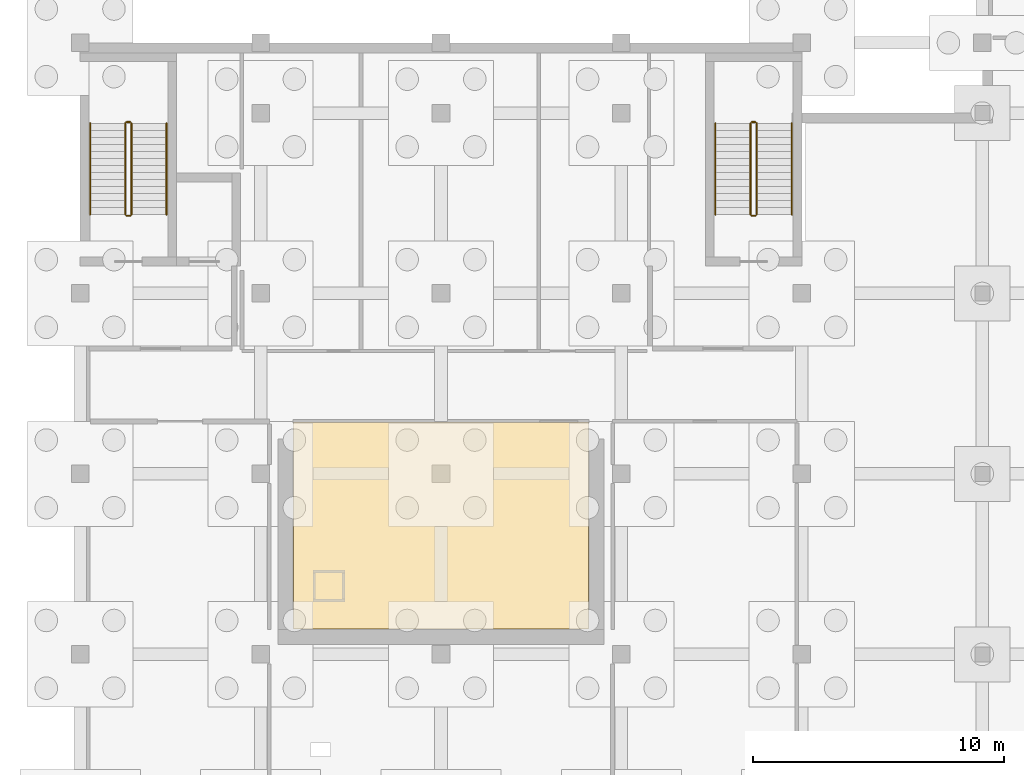
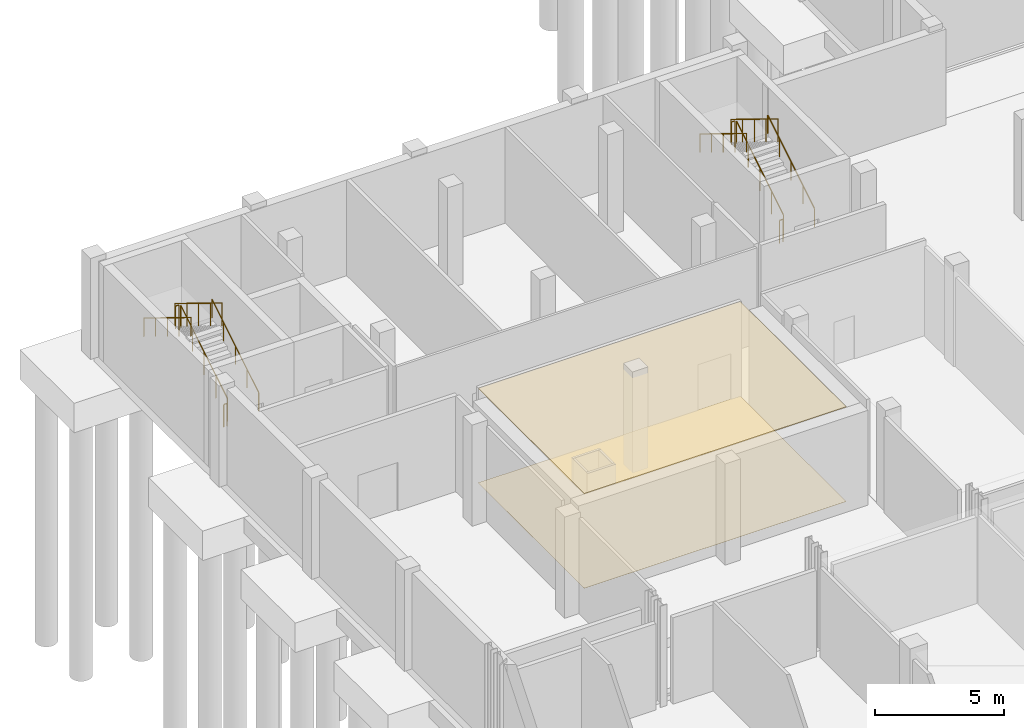
# One storey, part 33 of 35: 12 railings, 2 coverings.
"""IFC4 building model written with IfcOpenShell, lengths in metres."""

from ifc_helpers import new_model, si_unit, direction, frame, origin, origin_2d, place, context, subcontext, project, spatial, polyline, circle, outline, extrude, material, layer, layer_set, type_object, element, save


model = new_model("IFC4")

# Units and contexts
model_context = context("Model", 3, precision=1e-05, world=origin(), true_north=direction((0.0, 1.0)))
body_context = subcontext(model_context, "Body", "Model", "MODEL_VIEW")
ifc_project = project(units=[si_unit("LENGTHUNIT", "METRE"), si_unit("AREAUNIT", "SQUARE_METRE"), si_unit("VOLUMEUNIT", "CUBIC_METRE"), si_unit("PLANEANGLEUNIT", "RADIAN"), si_unit("MASSUNIT", "GRAM", prefix="KILO")], contexts=[model_context])

# Site, building, storey
site_placement = place(None, origin())
site = spatial("IfcSite", under=ifc_project, at=site_placement, CompositionType="ELEMENT")
building_placement = place(site_placement, origin())
building = spatial("IfcBuilding", under=site, at=building_placement, Name="Zarrinpeak Specialist Clinic", CompositionType="ELEMENT")
storey_placement = place(building_placement, frame((0.0, 0.0, -4.800048828125)))
storey = spatial("IfcBuildingStorey", under=building, at=storey_placement, Name="B01", CompositionType="ELEMENT", Elevation=-4.800048828125)

# Coverings
ifc_material_1 = material(Name="Hygienic Acoustic Mineral Fibre Tile")
ifc_layer_1 = layer(ifc_material_1, 0.02490234375)
ifc_layer_set_1 = layer_set([ifc_layer_1], Name="Hygienic Acoustic Mineral Fibre Tile")
covering_type_1 = type_object("IfcCoveringType", Name="CV-CEIL-AC", PredefinedType="CEILING", material=ifc_layer_set_1)
covering_1_placement = place(storey_placement, frame((0.0, 0.0, 4.485107421875)))
element("IfcCovering", 1, at=covering_1_placement, inside=storey, type_object=covering_type_1, Name="B01 Radiotherapy Linear Accelerator Bunker Hygienic Acoustic Ceiling", PredefinedType="CEILING", context=body_context, shape_type="SweptSolid", body=[
    extrude(outline(polyline([(8.52001953125, 58.6201171875), (20.280029296875, 58.6201171875), (20.280029296875, 66.8798828125), (8.52001953125, 66.8798828125), (8.52001953125, 58.6201171875)])), origin(), (0.0, 0.0, 1.0), 0.02490234375),
])
ifc_material_2 = material(Name="Homogeneous Antimicrobial Clinical Vinyl")
ifc_layer_2 = layer(ifc_material_2, 0.008056640625)
ifc_layer_set_2 = layer_set([ifc_layer_2], Name="Homogeneous Antimicrobial Clinical Vinyl")
covering_type_2 = type_object("IfcCoveringType", Name="CV-FLR-VN", PredefinedType="FLOORING", material=ifc_layer_set_2)
covering_2_placement = place(storey_placement, frame((0.0, 0.0, 0.0009765625)))
element("IfcCovering", 2, at=covering_2_placement, inside=storey, type_object=covering_type_2, Name="B01 Radiotherapy Linear Accelerator Bunker Antimicrobial Vinyl Flooring", PredefinedType="FLOORING", context=body_context, shape_type="SweptSolid", body=[
    extrude(outline(polyline([(8.52001953125, 58.6201171875), (20.280029296875, 58.6201171875), (20.280029296875, 66.8798828125), (8.52001953125, 66.8798828125), (8.52001953125, 58.6201171875)])), origin(), (0.0, 0.0, 1.0), 0.008056640625),
])

# Railings
ifc_material_3 = material(Name="Laminated Safety Glass and Stainless Steel 316", Category="steel")
ifc_layer_3 = layer(ifc_material_3, 0.06005859375)
ifc_layer_set_3 = layer_set([ifc_layer_3], Name="Laminated Safety Glass and Stainless Steel 316")
railing_type_1 = type_object("IfcRailingType", Name="RL-GRD115", PredefinedType="GUARDRAIL", material=ifc_layer_set_3)
railing_1_placement = place(storey_placement, frame((2.050048828125, 75.14990234375, 0.17138671875)))
element("IfcRailing", 3, at=railing_1_placement, inside=storey, type_object=railing_type_1, Name="B01 ST-09 stair guard 1", PredefinedType="GUARDRAIL", context=body_context, shape_type="SweptSolid", body=[
    extrude(circle(Radius=0.02392578125, at=origin_2d()), frame((0.0, 0.0, 1.076171875), z_axis=(0.0, 0.852840387347, 0.522171689878), x_axis=(-1.0, 0.0, 0.0)), (0.0, 0.0, 1.0), 4.268310546875),
    extrude(circle(Radius=0.02099609375, at=origin_2d()), origin(), (0.0, 0.0, 1.0), 1.052001953125),
    extrude(circle(Radius=0.02099609375, at=origin_2d()), frame((0.0, 0.91015625, 0.55712890625)), (0.0, 0.0, 1.0), 1.052001953125),
    extrude(circle(Radius=0.02099609375, at=origin_2d()), frame((0.0, 1.820068359375, 1.1142578125)), (0.0, 0.0, 1.0), 1.052001953125),
    extrude(circle(Radius=0.02099609375, at=origin_2d()), frame((0.0, 2.72998046875, 1.671630859375)), (0.0, 0.0, 1.0), 1.052001953125),
    extrude(circle(Radius=0.02099609375, at=origin_2d()), frame((0.0, 3.64013671875, 2.228759765625)), (0.0, 0.0, 1.0), 1.052001953125),
])
railing_2_placement = place(storey_placement, frame((2.0, 78.840087890625, 2.400146484375)))
element("IfcRailing", 4, at=railing_2_placement, inside=storey, type_object=railing_type_1, Name="B01 ST-09 stair guard 2", PredefinedType="GUARDRAIL", context=body_context, shape_type="SweptSolid", body=[
    extrude(circle(Radius=0.02392578125, at=origin_2d()), frame((0.0, 0.0, 1.076171875), z_axis=(-1.0, 0.0, 0.0), x_axis=(0.0, -1.0, 0.0)), (0.0, 0.0, 1.0), 0.14990234375),
    extrude(circle(Radius=0.02099609375, at=origin_2d()), origin(), (0.0, 0.0, 1.0), 1.052001953125),
    extrude(circle(Radius=0.02099609375, at=origin_2d()), frame((-0.14990234375, 0.0, 0.0)), (0.0, 0.0, 1.0), 1.052001953125),
])
railing_3_placement = place(storey_placement, frame((1.800048828125, 78.7900390625, 2.571533203125)))
element("IfcRailing", 5, at=railing_3_placement, inside=storey, type_object=railing_type_1, Name="B01 ST-09 stair guard 3", PredefinedType="GUARDRAIL", context=body_context, shape_type="SweptSolid", body=[
    extrude(circle(Radius=0.02392578125, at=origin_2d()), frame((0.0, 0.0, 1.076171875), z_axis=(0.0, -0.852865859571, 0.52213008492), x_axis=(1.0, 0.0, 0.0)), (0.0, 0.0, 1.0), 4.26806640625),
    extrude(circle(Radius=0.02099609375, at=origin_2d()), origin(), (0.0, 0.0, 1.0), 1.052001953125),
    extrude(circle(Radius=0.02099609375, at=origin_2d()), frame((0.0, -0.91015625, 0.55712890625)), (0.0, 0.0, 1.0), 1.052001953125),
    extrude(circle(Radius=0.02099609375, at=origin_2d()), frame((0.0, -1.820068359375, 1.1142578125)), (0.0, 0.0, 1.0), 1.052001953125),
    extrude(circle(Radius=0.02099609375, at=origin_2d()), frame((0.0, -2.72998046875, 1.67138671875)), (0.0, 0.0, 1.0), 1.052001953125),
    extrude(circle(Radius=0.02099609375, at=origin_2d()), frame((0.0, -3.64013671875, 2.228515625)), (0.0, 0.0, 1.0), 1.052001953125),
])
railing_4_placement = place(storey_placement, frame((2.0, 75.10009765625, 0.0)))
element("IfcRailing", 6, at=railing_4_placement, inside=storey, type_object=railing_type_1, Name="B01 ST-09 stair guard 4", PredefinedType="GUARDRAIL", context=body_context, shape_type="SweptSolid", body=[
    extrude(circle(Radius=0.02392578125, at=origin_2d()), frame((0.0, 0.0, 1.076171875), z_axis=(-1.0, 0.0, 0.0), x_axis=(0.0, -1.0, 0.0)), (0.0, 0.0, 1.0), 0.14990234375),
    extrude(circle(Radius=0.02099609375, at=origin_2d()), origin(), (0.0, 0.0, 1.0), 1.052001953125),
    extrude(circle(Radius=0.02099609375, at=origin_2d()), frame((-0.14990234375, 0.0, 0.0)), (0.0, 0.0, 1.0), 1.052001953125),
])
railing_5_placement = place(storey_placement, frame((27.0, 75.14990234375, 0.17138671875)))
element("IfcRailing", 7, at=railing_5_placement, inside=storey, type_object=railing_type_1, Name="B01 ST-10 stair guard 1", PredefinedType="GUARDRAIL", context=body_context, shape_type="SweptSolid", body=[
    extrude(circle(Radius=0.02392578125, at=origin_2d()), frame((0.0, 0.0, 1.076171875), z_axis=(0.0, 0.852840387347, 0.522171689878), x_axis=(-1.0, 0.0, 0.0)), (0.0, 0.0, 1.0), 4.268310546875),
    extrude(circle(Radius=0.02099609375, at=origin_2d()), origin(), (0.0, 0.0, 1.0), 1.052001953125),
    extrude(circle(Radius=0.02099609375, at=origin_2d()), frame((0.0, 0.91015625, 0.55712890625)), (0.0, 0.0, 1.0), 1.052001953125),
    extrude(circle(Radius=0.02099609375, at=origin_2d()), frame((0.0, 1.820068359375, 1.1142578125)), (0.0, 0.0, 1.0), 1.052001953125),
    extrude(circle(Radius=0.02099609375, at=origin_2d()), frame((0.0, 2.72998046875, 1.671630859375)), (0.0, 0.0, 1.0), 1.052001953125),
    extrude(circle(Radius=0.02099609375, at=origin_2d()), frame((0.0, 3.64013671875, 2.228759765625)), (0.0, 0.0, 1.0), 1.052001953125),
])
railing_6_placement = place(storey_placement, frame((26.949951171875, 78.840087890625, 2.400146484375)))
element("IfcRailing", 8, at=railing_6_placement, inside=storey, type_object=railing_type_1, Name="B01 ST-10 stair guard 2", PredefinedType="GUARDRAIL", context=body_context, shape_type="SweptSolid", body=[
    extrude(circle(Radius=0.02392578125, at=origin_2d()), frame((0.0, 0.0, 1.076171875), z_axis=(-1.0, 0.0, 0.0), x_axis=(0.0, -1.0, 0.0)), (0.0, 0.0, 1.0), 0.14990234375),
    extrude(circle(Radius=0.02099609375, at=origin_2d()), origin(), (0.0, 0.0, 1.0), 1.052001953125),
    extrude(circle(Radius=0.02099609375, at=origin_2d()), frame((-0.14990234375, 0.0, 0.0)), (0.0, 0.0, 1.0), 1.052001953125),
])
railing_7_placement = place(storey_placement, frame((26.75, 78.7900390625, 2.571533203125)))
element("IfcRailing", 9, at=railing_7_placement, inside=storey, type_object=railing_type_1, Name="B01 ST-10 stair guard 3", PredefinedType="GUARDRAIL", context=body_context, shape_type="SweptSolid", body=[
    extrude(circle(Radius=0.02392578125, at=origin_2d()), frame((0.0, 0.0, 1.076171875), z_axis=(0.0, -0.852865859571, 0.52213008492), x_axis=(1.0, 0.0, 0.0)), (0.0, 0.0, 1.0), 4.26806640625),
    extrude(circle(Radius=0.02099609375, at=origin_2d()), origin(), (0.0, 0.0, 1.0), 1.052001953125),
    extrude(circle(Radius=0.02099609375, at=origin_2d()), frame((0.0, -0.91015625, 0.55712890625)), (0.0, 0.0, 1.0), 1.052001953125),
    extrude(circle(Radius=0.02099609375, at=origin_2d()), frame((0.0, -1.820068359375, 1.1142578125)), (0.0, 0.0, 1.0), 1.052001953125),
    extrude(circle(Radius=0.02099609375, at=origin_2d()), frame((0.0, -2.72998046875, 1.67138671875)), (0.0, 0.0, 1.0), 1.052001953125),
    extrude(circle(Radius=0.02099609375, at=origin_2d()), frame((0.0, -3.64013671875, 2.228515625)), (0.0, 0.0, 1.0), 1.052001953125),
])
railing_8_placement = place(storey_placement, frame((26.949951171875, 75.10009765625, 0.0)))
element("IfcRailing", 10, at=railing_8_placement, inside=storey, type_object=railing_type_1, Name="B01 ST-10 stair guard 4", PredefinedType="GUARDRAIL", context=body_context, shape_type="SweptSolid", body=[
    extrude(circle(Radius=0.02392578125, at=origin_2d()), frame((0.0, 0.0, 1.076171875), z_axis=(-1.0, 0.0, 0.0), x_axis=(0.0, -1.0, 0.0)), (0.0, 0.0, 1.0), 0.14990234375),
    extrude(circle(Radius=0.02099609375, at=origin_2d()), origin(), (0.0, 0.0, 1.0), 1.052001953125),
    extrude(circle(Radius=0.02099609375, at=origin_2d()), frame((-0.14990234375, 0.0, 0.0)), (0.0, 0.0, 1.0), 1.052001953125),
])
ifc_material_4 = material(Name="Brushed Stainless Steel 316 Handrail", Category="steel")
ifc_layer_4 = layer(ifc_material_4, 0.050048828125)
ifc_layer_set_4 = layer_set([ifc_layer_4], Name="Brushed Stainless Steel 316 Handrail")
railing_type_2 = type_object("IfcRailingType", Name="RL-HND92", PredefinedType="HANDRAIL", material=ifc_layer_set_4)
railing_9_placement = place(storey_placement, frame((3.449951171875, 75.14990234375, 0.17138671875)))
element("IfcRailing", 11, at=railing_9_placement, inside=storey, type_object=railing_type_2, Name="B01 ST-09 stair handrail 1", PredefinedType="HANDRAIL", context=body_context, shape_type="SweptSolid", body=[
    extrude(circle(Radius=0.02392578125, at=origin_2d()), frame((0.0, 0.0, 0.8759765625), z_axis=(0.0, 0.852840387347, 0.522171689878), x_axis=(-1.0, 0.0, 0.0)), (0.0, 0.0, 1.0), 4.268310546875),
    extrude(circle(Radius=0.02099609375, at=origin_2d()), origin(), (0.0, 0.0, 1.0), 0.851806640625),
    extrude(circle(Radius=0.02099609375, at=origin_2d()), frame((0.0, 0.91015625, 0.55712890625)), (0.0, 0.0, 1.0), 0.851806640625),
    extrude(circle(Radius=0.02099609375, at=origin_2d()), frame((0.0, 1.820068359375, 1.1142578125)), (0.0, 0.0, 1.0), 0.851806640625),
    extrude(circle(Radius=0.02099609375, at=origin_2d()), frame((0.0, 2.72998046875, 1.671630859375)), (0.0, 0.0, 1.0), 0.851806640625),
    extrude(circle(Radius=0.02099609375, at=origin_2d()), frame((0.0, 3.64013671875, 2.228759765625)), (0.0, 0.0, 1.0), 0.851806640625),
])
railing_10_placement = place(storey_placement, frame((0.39990234375, 78.7900390625, 2.571533203125)))
element("IfcRailing", 12, at=railing_10_placement, inside=storey, type_object=railing_type_2, Name="B01 ST-09 stair handrail 2", PredefinedType="HANDRAIL", context=body_context, shape_type="SweptSolid", body=[
    extrude(circle(Radius=0.02392578125, at=origin_2d()), frame((0.0, 0.0, 0.8759765625), z_axis=(0.0, -0.852865859571, 0.52213008492), x_axis=(1.0, 0.0, 0.0)), (0.0, 0.0, 1.0), 4.26806640625),
    extrude(circle(Radius=0.02099609375, at=origin_2d()), origin(), (0.0, 0.0, 1.0), 0.851806640625),
    extrude(circle(Radius=0.02099609375, at=origin_2d()), frame((0.0, -0.91015625, 0.55712890625)), (0.0, 0.0, 1.0), 0.851806640625),
    extrude(circle(Radius=0.02099609375, at=origin_2d()), frame((0.0, -1.820068359375, 1.1142578125)), (0.0, 0.0, 1.0), 0.851806640625),
    extrude(circle(Radius=0.02099609375, at=origin_2d()), frame((0.0, -2.72998046875, 1.67138671875)), (0.0, 0.0, 1.0), 0.851806640625),
    extrude(circle(Radius=0.02099609375, at=origin_2d()), frame((0.0, -3.64013671875, 2.228515625)), (0.0, 0.0, 1.0), 0.851806640625),
])
railing_11_placement = place(storey_placement, frame((28.39990234375, 75.14990234375, 0.17138671875)))
element("IfcRailing", 13, at=railing_11_placement, inside=storey, type_object=railing_type_2, Name="B01 ST-10 stair handrail 1", PredefinedType="HANDRAIL", context=body_context, shape_type="SweptSolid", body=[
    extrude(circle(Radius=0.02392578125, at=origin_2d()), frame((0.0, 0.0, 0.8759765625), z_axis=(0.0, 0.852840387347, 0.522171689878), x_axis=(-1.0, 0.0, 0.0)), (0.0, 0.0, 1.0), 4.268310546875),
    extrude(circle(Radius=0.02099609375, at=origin_2d()), origin(), (0.0, 0.0, 1.0), 0.851806640625),
    extrude(circle(Radius=0.02099609375, at=origin_2d()), frame((0.0, 0.91015625, 0.55712890625)), (0.0, 0.0, 1.0), 0.851806640625),
    extrude(circle(Radius=0.02099609375, at=origin_2d()), frame((0.0, 1.820068359375, 1.1142578125)), (0.0, 0.0, 1.0), 0.851806640625),
    extrude(circle(Radius=0.02099609375, at=origin_2d()), frame((0.0, 2.72998046875, 1.671630859375)), (0.0, 0.0, 1.0), 0.851806640625),
    extrude(circle(Radius=0.02099609375, at=origin_2d()), frame((0.0, 3.64013671875, 2.228759765625)), (0.0, 0.0, 1.0), 0.851806640625),
])
railing_12_placement = place(storey_placement, frame((25.35009765625, 78.7900390625, 2.571533203125)))
element("IfcRailing", 14, at=railing_12_placement, inside=storey, type_object=railing_type_2, Name="B01 ST-10 stair handrail 2", PredefinedType="HANDRAIL", context=body_context, shape_type="SweptSolid", body=[
    extrude(circle(Radius=0.02392578125, at=origin_2d()), frame((0.0, 0.0, 0.8759765625), z_axis=(0.0, -0.852865859571, 0.52213008492), x_axis=(1.0, 0.0, 0.0)), (0.0, 0.0, 1.0), 4.26806640625),
    extrude(circle(Radius=0.02099609375, at=origin_2d()), origin(), (0.0, 0.0, 1.0), 0.851806640625),
    extrude(circle(Radius=0.02099609375, at=origin_2d()), frame((0.0, -0.91015625, 0.55712890625)), (0.0, 0.0, 1.0), 0.851806640625),
    extrude(circle(Radius=0.02099609375, at=origin_2d()), frame((0.0, -1.820068359375, 1.1142578125)), (0.0, 0.0, 1.0), 0.851806640625),
    extrude(circle(Radius=0.02099609375, at=origin_2d()), frame((0.0, -2.72998046875, 1.67138671875)), (0.0, 0.0, 1.0), 0.851806640625),
    extrude(circle(Radius=0.02099609375, at=origin_2d()), frame((0.0, -3.64013671875, 2.228515625)), (0.0, 0.0, 1.0), 0.851806640625),
])

save(model, "model.ifc")
